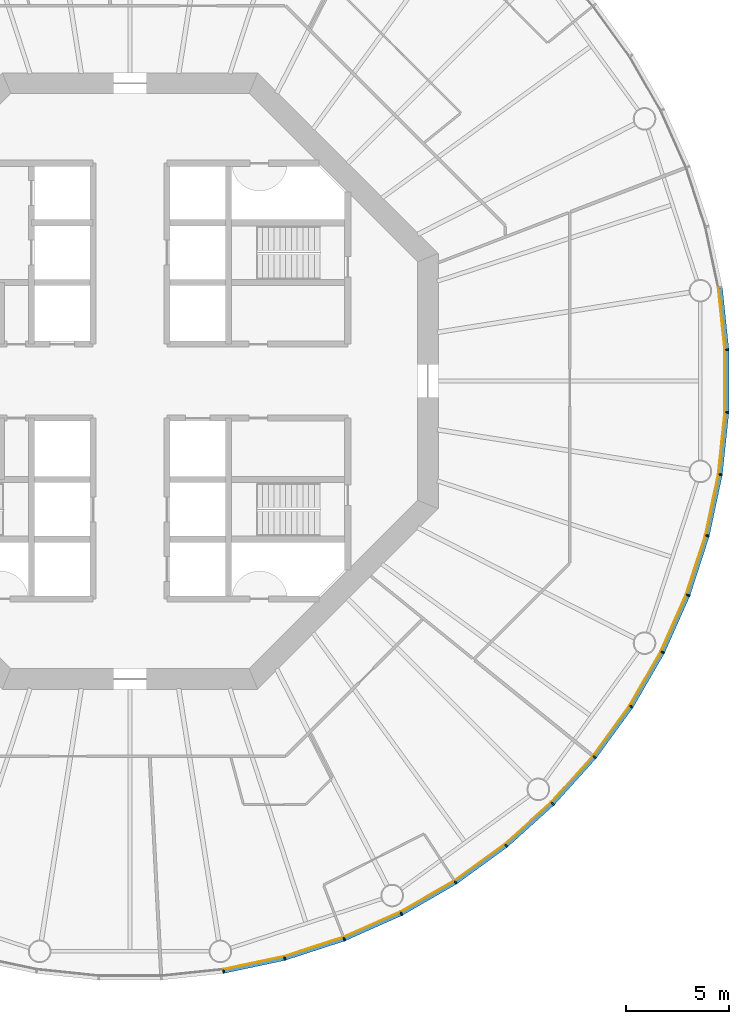
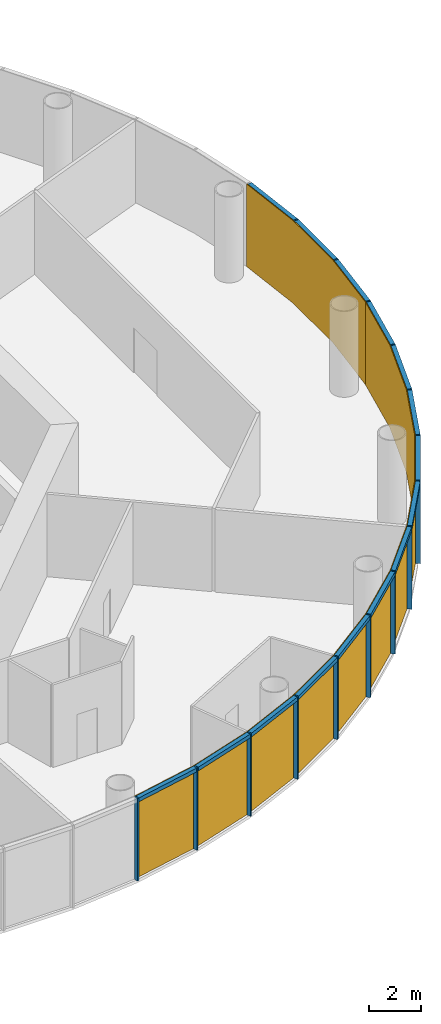
# One storey, part 9 of 13: 30 members, 5 curtain walls.
"""IFC4 building model written with IfcOpenShell, lengths in metres."""

import ifcopenshell
import ifcopenshell.guid

model = None  # the IFC model being written
_history = None  # IfcOwnerHistory: only IFC2X3 demands one
_inside = {}  # id of a spatial element -> (the spatial element, [elements in it])
_under = {}  # id of a project, library or spatial element -> (it, [spatial elements below it])
_declared = {}  # id of a project -> (the project, [libraries it declares])
_typed = {}  # id of a type object -> (the type object, [elements of that type])
_made_of = {}  # id of a material, layer set ... -> (it, [elements and type objects made of it])


def new_model(schema):
    """Start an empty IFC model of exactly this schema.

    Asked for "IFC4X3", IfcOpenShell would pick the latest addendum, in which some entities
    have other attributes; the version numbers below select the first issue.
    IFC2X3 requires an IfcOwnerHistory on every rooted entity: one is made here for all.
    """
    global model, _history
    if schema == "IFC4X3":
        model = ifcopenshell.file(schema_version=(4, 3, 0, 0))
    else:
        model = ifcopenshell.file(schema=schema)
    _inside.clear()
    _under.clear()
    _declared.clear()
    _typed.clear()
    _made_of.clear()
    _history = None
    if model.schema == "IFC2X3":
        org = make("IfcOrganization", Name="unknown")
        user = make(
            "IfcPersonAndOrganization",
            ThePerson=make("IfcPerson", FamilyName="unknown"),
            TheOrganization=org,
        )
        app = make(
            "IfcApplication",
            ApplicationDeveloper=org,
            Version="unknown",
            ApplicationFullName="unknown",
            ApplicationIdentifier="unknown",
        )
        _history = make(
            "IfcOwnerHistory",
            OwningUser=user,
            OwningApplication=app,
            ChangeAction="ADDED",
            CreationDate=0,
        )
    return model


def make(cls, **values):
    """One entity of the class cls with the attributes given. An attribute that is None is left unset."""
    return model.create_entity(
        cls, **{name: value for name, value in values.items() if value is not None}
    )


def rooted(cls, **values):
    """An entity with a GlobalId (a new one), such as an element, a storey or a relation."""
    return make(cls, GlobalId=ifcopenshell.guid.new(), OwnerHistory=_history, **values)


def si_unit(unit_type, name, prefix=None):
    """IfcSIUnit, for example si_unit("LENGTHUNIT", "METRE", prefix="MILLI")."""
    return make("IfcSIUnit", UnitType=unit_type, Prefix=prefix, Name=name)


def assignment(units):
    """IfcUnitAssignment: the units of a project."""
    return None if units is None else make("IfcUnitAssignment", Units=units)


def point(xyz):
    """IfcCartesianPoint."""
    return None if xyz is None else make("IfcCartesianPoint", Coordinates=xyz)


def direction(xyz):
    """IfcDirection."""
    return None if xyz is None else make("IfcDirection", DirectionRatios=xyz)


def frame(location, z_axis=None, x_axis=None):
    """IfcAxis2Placement3D, a coordinate frame: its origin and axes. An axis left out is left unset."""
    return make(
        "IfcAxis2Placement3D",
        Location=point(location),
        Axis=direction(z_axis),
        RefDirection=direction(x_axis),
    )


def frame_2d(location, x_axis=None):
    """IfcAxis2Placement2D, a coordinate frame in the plane: its origin and x axis."""
    return make(
        "IfcAxis2Placement2D", Location=point(location), RefDirection=direction(x_axis)
    )


def origin():
    """The frame at (0, 0, 0) with its axes left unset."""
    return frame((0.0, 0.0, 0.0))


def origin_2d():
    """The frame at (0, 0) in the plane with its x axis left unset."""
    return frame_2d((0.0, 0.0))


def place(relative_to, where):
    """IfcLocalPlacement: puts the frame where relative to a parent placement (None: the world)."""
    return make(
        "IfcLocalPlacement", PlacementRelTo=relative_to, RelativePlacement=where
    )


def context(
    kind, dimensions, precision=None, world=None, true_north=None, identifier=None
):
    """IfcGeometricRepresentationContext, for example the 3D "Model" context."""
    return make(
        "IfcGeometricRepresentationContext",
        ContextIdentifier=identifier,
        ContextType=kind,
        CoordinateSpaceDimension=dimensions,
        Precision=precision,
        WorldCoordinateSystem=world,
        TrueNorth=true_north,
    )


def subcontext(parent, identifier, kind, view, scale=None):
    """IfcGeometricRepresentationSubContext, for example "Body" below "Model"."""
    return make(
        "IfcGeometricRepresentationSubContext",
        ContextIdentifier=identifier,
        ContextType=kind,
        ParentContext=parent,
        TargetScale=scale,
        TargetView=view,
    )


def project(units=None, contexts=None):
    """IfcProject with its units and contexts."""
    return rooted(
        "IfcProject",
        Name="project",
        RepresentationContexts=contexts,
        UnitsInContext=assignment(units),
    )


def spatial(cls, under=None, at=None, **own):
    """A site, building, storey or space (cls), placed at a placement, below another one or the project."""
    s = rooted(cls, ObjectPlacement=at, **own)
    if under is not None:
        _under.setdefault(under.id(), (under, []))[1].append(s)
    return s


def polyline(points):
    """IfcPolyline through the points."""
    return make("IfcPolyline", Points=[point(p) for p in points])


def profile(cls, at=None, kind="AREA", **sizes):
    """A parametric profile (cls). Its sizes go by their IFC names, for example OverallWidth=200.0."""
    return make(cls, ProfileType=kind, Position=at, **sizes)


def rectangle(**sizes):
    """IfcRectangleProfileDef."""
    return profile("IfcRectangleProfileDef", **sizes)


def outline(outer, holes=None, kind="AREA"):
    """IfcArbitraryClosedProfileDef: a profile drawn as a closed curve; with holes, ...WithVoids."""
    if holes is None:
        return make("IfcArbitraryClosedProfileDef", ProfileType=kind, OuterCurve=outer)
    return make(
        "IfcArbitraryProfileDefWithVoids",
        ProfileType=kind,
        OuterCurve=outer,
        InnerCurves=holes,
    )


def extrude(swept, where, along, depth):
    """IfcExtrudedAreaSolid: the profile swept, set in the frame where, extruded along a direction by depth."""
    return make(
        "IfcExtrudedAreaSolid",
        SweptArea=swept,
        Position=where,
        ExtrudedDirection=direction(along),
        Depth=depth,
    )


def shape(context_of_items, identifier, shape_type, items):
    """IfcShapeRepresentation: the items that make up one representation, for example the "Body"."""
    return make(
        "IfcShapeRepresentation",
        ContextOfItems=context_of_items,
        RepresentationIdentifier=identifier,
        RepresentationType=shape_type,
        Items=items,
    )


def material(Name=None, Category=None):
    """IfcMaterial."""
    return make("IfcMaterial", Name=Name, Category=Category)


def layer(
    of_material, thickness, ventilated=None, Name=None, Category=None, Priority=None
):
    """IfcMaterialLayer: one layer of a wall or slab, of a material (None: an air gap)."""
    return make(
        "IfcMaterialLayer",
        Material=of_material,
        LayerThickness=thickness,
        IsVentilated=ventilated,
        Name=Name,
        Category=Category,
        Priority=Priority,
    )


def layer_set(layers, Name=None):
    """IfcMaterialLayerSet."""
    return make("IfcMaterialLayerSet", MaterialLayers=layers, LayerSetName=Name)


def material_profile(
    of_material, cross_section, Name=None, Category=None, Priority=None
):
    """IfcMaterialProfile: a cross section and its material."""
    return make(
        "IfcMaterialProfile",
        Name=Name,
        Material=of_material,
        Profile=cross_section,
        Priority=Priority,
        Category=Category,
    )


def profile_set(profiles, Name=None, composite=None):
    """IfcMaterialProfileSet."""
    return make(
        "IfcMaterialProfileSet",
        Name=Name,
        MaterialProfiles=profiles,
        CompositeProfile=composite,
    )


def made_of(thing, what):
    """Note that an element or type object is made of a material, layer set ...; save() writes the relation."""
    if what is not None:
        _made_of.setdefault(what.id(), (what, []))[1].append(thing)
    return thing


def type_object(cls, material=None, **own):
    """A type object (cls), such as IfcWallType, which elements share."""
    return made_of(rooted(cls, **own), material)


def element(
    cls,
    number,
    at=None,
    inside=None,
    cuts=None,
    type_object=None,
    material=None,
    context=None,
    identifier="Body",
    shape_type=None,
    held_by="IfcProductDefinitionShape",
    body=None,
    shapes=None,
    **own,
):
    """One element of the class cls, such as IfcWall. Its Tag is "e" and its number.

    at: its placement. inside: the storey or other place that contains it. cuts: it is an
    opening in that element (IfcRelVoidsElement). A single representation is given by context,
    identifier, shape_type and body (its items); several are given by shapes. held_by: the class
    of the entity that holds the representations. save() writes the other relations.
    """
    e = rooted(cls, Tag="e%d" % number, ObjectPlacement=at, **own)
    if body is not None:
        shapes = [shape(context, identifier, shape_type, body)]
    if shapes is not None:
        e.Representation = make(held_by, Representations=shapes)
    if inside is not None:
        _inside.setdefault(inside.id(), (inside, []))[1].append(e)
    if cuts is not None:
        rooted(
            "IfcRelVoidsElement", RelatingBuildingElement=cuts, RelatedOpeningElement=e
        )
    if type_object is not None:
        _typed.setdefault(type_object.id(), (type_object, []))[1].append(e)
    return made_of(e, material)


def aggregate(whole, parts):
    """IfcRelAggregates: a whole, such as a stair, and the parts it consists of."""
    return rooted("IfcRelAggregates", RelatingObject=whole, RelatedObjects=parts)


def save(model, path):
    """Write the relations noted so far, then the file.

    IfcRelAggregates (storeys below a building ...), IfcRelContainedInSpatialStructure (elements
    in a storey), IfcRelDefinesByType, IfcRelAssociatesMaterial and IfcRelDeclares: one each for
    every whole, place, type object, material and project.
    """
    for whole, parts in _under.values():
        aggregate(whole, parts)
    for where, things in _inside.values():
        rooted(
            "IfcRelContainedInSpatialStructure",
            RelatedElements=things,
            RelatingStructure=where,
        )
    for kind, things in _typed.values():
        rooted("IfcRelDefinesByType", RelatedObjects=things, RelatingType=kind)
    for what, things in _made_of.values():
        rooted("IfcRelAssociatesMaterial", RelatedObjects=things, RelatingMaterial=what)
    for by, libraries in _declared.values():
        rooted("IfcRelDeclares", RelatingContext=by, RelatedDefinitions=libraries)
    model.write(path)


model = new_model("IFC4")

# Units and contexts
model_context = context("Model", 3, precision=1e-05, world=origin(), true_north=direction((0.0, 1.0)))
body_context = subcontext(model_context, "Body", "Model", "MODEL_VIEW")
ifc_project = project(units=[si_unit("LENGTHUNIT", "METRE"), si_unit("AREAUNIT", "SQUARE_METRE"), si_unit("VOLUMEUNIT", "CUBIC_METRE"), si_unit("PLANEANGLEUNIT", "RADIAN"), si_unit("MASSUNIT", "GRAM", prefix="KILO")], contexts=[model_context])

# Member
ifc_material_1 = material(Name="Anodised aluminium", Category="aluminium")
ifc_material_profile_1 = material_profile(ifc_material_1, rectangle(XDim=0.06494140625, YDim=0.18505859375, at=origin_2d()), Name="Mullion 65 x 185 mm anodised aluminium")
ifc_profile_set_1 = profile_set([ifc_material_profile_1], Name="Anodised aluminium")
member_type_1 = type_object("IfcMemberType", Name="Mullion 65 x 185 mm anodised aluminium", PredefinedType="MULLION", material=ifc_profile_set_1)
site_placement = place(None, origin())
building_placement = place(site_placement, origin())
storey_placement = place(building_placement, frame((0.0, 0.0, 184.0)))
member_1_placement = place(storey_placement, frame((94.551025390625, 51.265625, 0.0), z_axis=(0.0, 0.0, 1.0), x_axis=(0.987688340595, 0.15643446504, 0.0)))
member_1 = element("IfcMember", 1, at=member_1_placement, type_object=member_type_1, Name="MULLION L42-45", PredefinedType="MULLION", context=body_context, shape_type="SweptSolid", body=[
    extrude(rectangle(XDim=0.06494140625, YDim=0.18505859375, at=origin_2d()), origin(), (0.0, 0.0, 1.0), 3.85009765625),
])

member_2_placement = place(storey_placement, frame((97.52978515625, 51.898681640625, 0.0), z_axis=(0.0, 0.0, 1.0), x_axis=(0.965925826289, 0.258819045103, 0.0)))
member_2 = element("IfcMember", 2, at=member_2_placement, type_object=member_type_1, Name="MULLION L42-46", PredefinedType="MULLION", context=body_context, shape_type="SweptSolid", body=[
    extrude(rectangle(XDim=0.06494140625, YDim=0.18505859375, at=origin_2d()), origin(), (0.0, 0.0, 1.0), 3.85009765625),
])

member_3_placement = place(storey_placement, frame((100.42578125, 52.83984375, 0.0), z_axis=(0.0, 0.0, 1.0), x_axis=(0.933580426497, 0.358367949545, 0.0)))
member_3 = element("IfcMember", 3, at=member_3_placement, type_object=member_type_1, Name="MULLION L42-47", PredefinedType="MULLION", context=body_context, shape_type="SweptSolid", body=[
    extrude(rectangle(XDim=0.06494140625, YDim=0.18505859375, at=origin_2d()), origin(), (0.0, 0.0, 1.0), 3.85009765625),
])

member_4_placement = place(storey_placement, frame((103.207763671875, 54.078369140625, 0.0), z_axis=(0.0, 0.0, 1.0), x_axis=(0.891006524188, 0.45399049974, 0.0)))
member_4 = element("IfcMember", 4, at=member_4_placement, type_object=member_type_1, Name="MULLION L42-48", PredefinedType="MULLION", context=body_context, shape_type="SweptSolid", body=[
    extrude(rectangle(XDim=0.06494140625, YDim=0.18505859375, at=origin_2d()), origin(), (0.0, 0.0, 1.0), 3.85009765625),
])

member_5_placement = place(storey_placement, frame((105.844970703125, 55.60107421875, 0.0), z_axis=(0.0, 0.0, 1.0), x_axis=(0.838670567945, 0.544639035015, 0.0)))
member_5 = element("IfcMember", 5, at=member_5_placement, type_object=member_type_1, Name="MULLION L42-49", PredefinedType="MULLION", context=body_context, shape_type="SweptSolid", body=[
    extrude(rectangle(XDim=0.06494140625, YDim=0.18505859375, at=origin_2d()), origin(), (0.0, 0.0, 1.0), 3.85009765625),
])

member_6_placement = place(storey_placement, frame((108.30859375, 57.390869140625, 0.0), z_axis=(0.0, 0.0, 1.0), x_axis=(0.777145961457, 0.62932039105, 0.0)))
member_6 = element("IfcMember", 6, at=member_6_placement, type_object=member_type_1, Name="MULLION L42-50", PredefinedType="MULLION", context=body_context, shape_type="SweptSolid", body=[
    extrude(rectangle(XDim=0.06494140625, YDim=0.18505859375, at=origin_2d()), origin(), (0.0, 0.0, 1.0), 3.85009765625),
])

member_7_placement = place(storey_placement, frame((110.571533203125, 59.428466796875, 0.0), z_axis=(0.0, 0.0, 1.0), x_axis=(0.707106781187, 0.707106781187, 0.0)))
member_7 = element("IfcMember", 7, at=member_7_placement, type_object=member_type_1, Name="MULLION L42-51", PredefinedType="MULLION", context=body_context, shape_type="SweptSolid", body=[
    extrude(rectangle(XDim=0.06494140625, YDim=0.18505859375, at=origin_2d()), origin(), (0.0, 0.0, 1.0), 3.85009765625),
])

member_8_placement = place(storey_placement, frame((112.609130859375, 61.69140625, 0.0), z_axis=(0.0, 0.0, 1.0), x_axis=(0.62932039105, 0.777145961457, 0.0)))
member_8 = element("IfcMember", 8, at=member_8_placement, type_object=member_type_1, Name="MULLION L42-52", PredefinedType="MULLION", context=body_context, shape_type="SweptSolid", body=[
    extrude(rectangle(XDim=0.06494140625, YDim=0.18505859375, at=origin_2d()), origin(), (0.0, 0.0, 1.0), 3.85009765625),
])

member_9_placement = place(storey_placement, frame((114.39892578125, 64.155029296875, 0.0), z_axis=(0.0, 0.0, 1.0), x_axis=(0.544639035015, 0.838670567945, 0.0)))
member_9 = element("IfcMember", 9, at=member_9_placement, type_object=member_type_1, Name="MULLION L42-53", PredefinedType="MULLION", context=body_context, shape_type="SweptSolid", body=[
    extrude(rectangle(XDim=0.06494140625, YDim=0.18505859375, at=origin_2d()), origin(), (0.0, 0.0, 1.0), 3.85009765625),
])

member_10_placement = place(storey_placement, frame((115.921630859375, 66.792236328125, 0.0), z_axis=(0.0, 0.0, 1.0), x_axis=(0.45399049974, 0.891006524188, 0.0)))
member_10 = element("IfcMember", 10, at=member_10_placement, type_object=member_type_1, Name="MULLION L42-54", PredefinedType="MULLION", context=body_context, shape_type="SweptSolid", body=[
    extrude(rectangle(XDim=0.06494140625, YDim=0.18505859375, at=origin_2d()), origin(), (0.0, 0.0, 1.0), 3.85009765625),
])

member_11_placement = place(storey_placement, frame((117.16015625, 69.57421875, 0.0), z_axis=(0.0, 0.0, 1.0), x_axis=(0.358367949545, 0.933580426497, 0.0)))
member_11 = element("IfcMember", 11, at=member_11_placement, type_object=member_type_1, Name="MULLION L42-55", PredefinedType="MULLION", context=body_context, shape_type="SweptSolid", body=[
    extrude(rectangle(XDim=0.06494140625, YDim=0.18505859375, at=origin_2d()), origin(), (0.0, 0.0, 1.0), 3.85009765625),
])

member_12_placement = place(storey_placement, frame((118.101318359375, 72.47021484375, 0.0), z_axis=(0.0, 0.0, 1.0), x_axis=(0.258819045103, 0.965925826289, 0.0)))
member_12 = element("IfcMember", 12, at=member_12_placement, type_object=member_type_1, Name="MULLION L42-56", PredefinedType="MULLION", context=body_context, shape_type="SweptSolid", body=[
    extrude(rectangle(XDim=0.06494140625, YDim=0.18505859375, at=origin_2d()), origin(), (0.0, 0.0, 1.0), 3.85009765625),
])

member_13_placement = place(storey_placement, frame((118.734375, 75.448974609375, 0.0), z_axis=(0.0, 0.0, 1.0), x_axis=(0.15643446504, 0.987688340595, 0.0)))
member_13 = element("IfcMember", 13, at=member_13_placement, type_object=member_type_1, Name="MULLION L42-57", PredefinedType="MULLION", context=body_context, shape_type="SweptSolid", body=[
    extrude(rectangle(XDim=0.06494140625, YDim=0.18505859375, at=origin_2d()), origin(), (0.0, 0.0, 1.0), 3.85009765625),
])

member_14_placement = place(storey_placement, frame((119.052734375, 78.477294921875, 0.0), z_axis=(0.0, 0.0, 1.0), x_axis=(0.052335956243, 0.998629534755, 0.0)))
member_14 = element("IfcMember", 14, at=member_14_placement, type_object=member_type_1, Name="MULLION L42-58", PredefinedType="MULLION", context=body_context, shape_type="SweptSolid", body=[
    extrude(rectangle(XDim=0.06494140625, YDim=0.18505859375, at=origin_2d()), origin(), (0.0, 0.0, 1.0), 3.85009765625),
])

member_15_placement = place(storey_placement, frame((119.052734375, 81.522705078125, 0.0), z_axis=(0.0, 0.0, 1.0), x_axis=(-0.052335956243, 0.998629534755, 0.0)))
member_15 = element("IfcMember", 15, at=member_15_placement, type_object=member_type_1, Name="MULLION L42-59", PredefinedType="MULLION", context=body_context, shape_type="SweptSolid", body=[
    extrude(rectangle(XDim=0.06494140625, YDim=0.18505859375, at=origin_2d()), origin(), (0.0, 0.0, 1.0), 3.85009765625),
])

ifc_material_2 = material(Name="Anodised aluminium", Category="aluminium")
ifc_material_profile_2 = material_profile(ifc_material_2, rectangle(XDim=0.18505859375, YDim=0.175048828125, at=origin_2d()), Name="Transom 175 x 185 mm anodised aluminium")
ifc_profile_set_2 = profile_set([ifc_material_profile_2], Name="Anodised aluminium")
member_type_2 = type_object("IfcMemberType", Name="Transom 175 x 185 mm anodised aluminium", PredefinedType="USERDEFINED", material=ifc_profile_set_2)
member_16_placement = place(storey_placement, frame((94.587646484375, 51.2734375, 3.762451171875), z_axis=(0.97815822425, 0.207861704825, 0.0), x_axis=(-0.207861704825, 0.97815822425, 0.0)))
member_16 = element("IfcMember", 16, at=member_16_placement, type_object=member_type_2, Name="TRANSOM L42-45", ObjectType="TRANSOM", PredefinedType="USERDEFINED", context=body_context, shape_type="SweptSolid", body=[
    extrude(rectangle(XDim=0.18505859375, YDim=0.175048828125, at=origin_2d()), origin(), (0.0, 0.0, 1.0), 2.970458984375),
])

member_17_placement = place(storey_placement, frame((97.565185546875, 51.91015625, 3.762451171875), z_axis=(0.951055809184, 0.30901917063, 0.0), x_axis=(-0.30901917063, 0.951055809184, 0.0)))
member_17 = element("IfcMember", 17, at=member_17_placement, type_object=member_type_2, Name="TRANSOM L42-46", ObjectType="TRANSOM", PredefinedType="USERDEFINED", context=body_context, shape_type="SweptSolid", body=[
    extrude(rectangle(XDim=0.18505859375, YDim=0.175048828125, at=origin_2d()), origin(), (0.0, 0.0, 1.0), 2.970703125),
])

member_18_placement = place(storey_placement, frame((100.4599609375, 52.85498046875, 3.762451171875), z_axis=(0.913567348806, 0.406687471156, 0.0), x_axis=(-0.406687471156, 0.913567348806, 0.0)))
member_18 = element("IfcMember", 18, at=member_18_placement, type_object=member_type_2, Name="TRANSOM L42-47", ObjectType="TRANSOM", PredefinedType="USERDEFINED", context=body_context, shape_type="SweptSolid", body=[
    extrude(rectangle(XDim=0.18505859375, YDim=0.175048828125, at=origin_2d()), origin(), (0.0, 0.0, 1.0), 2.970458984375),
])

member_19_placement = place(storey_placement, frame((103.240234375, 54.096923828125, 3.762451171875), z_axis=(0.866009025146, 0.500028367561, 0.0), x_axis=(-0.500028367561, 0.866009025146, 0.0)))
member_19 = element("IfcMember", 19, at=member_19_placement, type_object=member_type_2, Name="TRANSOM L42-48", ObjectType="TRANSOM", PredefinedType="USERDEFINED", context=body_context, shape_type="SweptSolid", body=[
    extrude(rectangle(XDim=0.18505859375, YDim=0.175048828125, at=origin_2d()), origin(), (0.0, 0.0, 1.0), 2.970458984375),
])

member_20_placement = place(storey_placement, frame((105.875244140625, 55.622802734375, 3.762451171875), z_axis=(0.808991906087, 0.587819781808, 0.0), x_axis=(-0.587819781808, 0.808991906087, 0.0)))
member_20 = element("IfcMember", 20, at=member_20_placement, type_object=member_type_2, Name="TRANSOM L42-49", ObjectType="TRANSOM", PredefinedType="USERDEFINED", context=body_context, shape_type="SweptSolid", body=[
    extrude(rectangle(XDim=0.18505859375, YDim=0.175048828125, at=origin_2d()), origin(), (0.0, 0.0, 1.0), 2.970458984375),
])

member_21_placement = place(storey_placement, frame((108.33642578125, 57.415771484375, 3.762451171875), z_axis=(0.743163354343, 0.669110027395, 0.0), x_axis=(-0.669110027395, 0.743163354343, 0.0)))
member_21 = element("IfcMember", 21, at=member_21_placement, type_object=member_type_2, Name="TRANSOM L42-50", ObjectType="TRANSOM", PredefinedType="USERDEFINED", context=body_context, shape_type="SweptSolid", body=[
    extrude(rectangle(XDim=0.18505859375, YDim=0.175048828125, at=origin_2d()), origin(), (0.0, 0.0, 1.0), 2.970458984375),
])

member_22_placement = place(storey_placement, frame((110.5966796875, 59.4560546875, 3.762451171875), z_axis=(0.669110027395, 0.743163354343, 0.0), x_axis=(-0.743163354343, 0.669110027395, 0.0)))
member_22 = element("IfcMember", 22, at=member_22_placement, type_object=member_type_2, Name="TRANSOM L42-51", ObjectType="TRANSOM", PredefinedType="USERDEFINED", context=body_context, shape_type="SweptSolid", body=[
    extrude(rectangle(XDim=0.18505859375, YDim=0.175048828125, at=origin_2d()), origin(), (0.0, 0.0, 1.0), 2.970458984375),
])

member_23_placement = place(storey_placement, frame((112.631103515625, 61.7216796875, 3.762451171875), z_axis=(0.587819781808, 0.808991906087, 0.0), x_axis=(-0.808991906087, 0.587819781808, 0.0)))
member_23 = element("IfcMember", 23, at=member_23_placement, type_object=member_type_2, Name="TRANSOM L42-52", ObjectType="TRANSOM", PredefinedType="USERDEFINED", context=body_context, shape_type="SweptSolid", body=[
    extrude(rectangle(XDim=0.18505859375, YDim=0.175048828125, at=origin_2d()), origin(), (0.0, 0.0, 1.0), 2.970458984375),
])

member_24_placement = place(storey_placement, frame((114.417724609375, 64.187255859375, 3.762451171875), z_axis=(0.500028367561, 0.866009025146, 0.0), x_axis=(-0.866009025146, 0.500028367561, 0.0)))
member_24 = element("IfcMember", 24, at=member_24_placement, type_object=member_type_2, Name="TRANSOM L42-53", ObjectType="TRANSOM", PredefinedType="USERDEFINED", context=body_context, shape_type="SweptSolid", body=[
    extrude(rectangle(XDim=0.18505859375, YDim=0.175048828125, at=origin_2d()), origin(), (0.0, 0.0, 1.0), 2.970458984375),
])

member_25_placement = place(storey_placement, frame((115.93701171875, 66.826416015625, 3.762451171875), z_axis=(0.406687471156, 0.913567348806, 0.0), x_axis=(-0.913567348806, 0.406687471156, 0.0)))
member_25 = element("IfcMember", 25, at=member_25_placement, type_object=member_type_2, Name="TRANSOM L42-54", ObjectType="TRANSOM", PredefinedType="USERDEFINED", context=body_context, shape_type="SweptSolid", body=[
    extrude(rectangle(XDim=0.18505859375, YDim=0.175048828125, at=origin_2d()), origin(), (0.0, 0.0, 1.0), 2.970458984375),
])

member_26_placement = place(storey_placement, frame((117.171875, 69.609619140625, 3.762451171875), z_axis=(0.30901917063, 0.951055809184, 0.0), x_axis=(-0.951055809184, 0.30901917063, 0.0)))
member_26 = element("IfcMember", 26, at=member_26_placement, type_object=member_type_2, Name="TRANSOM L42-55", ObjectType="TRANSOM", PredefinedType="USERDEFINED", context=body_context, shape_type="SweptSolid", body=[
    extrude(rectangle(XDim=0.18505859375, YDim=0.175048828125, at=origin_2d()), origin(), (0.0, 0.0, 1.0), 2.970703125),
])

member_27_placement = place(storey_placement, frame((118.109130859375, 72.5068359375, 3.762451171875), z_axis=(0.207861704825, 0.97815822425, 0.0), x_axis=(-0.97815822425, 0.207861704825, 0.0)))
member_27 = element("IfcMember", 27, at=member_27_placement, type_object=member_type_2, Name="TRANSOM L42-56", ObjectType="TRANSOM", PredefinedType="USERDEFINED", context=body_context, shape_type="SweptSolid", body=[
    extrude(rectangle(XDim=0.18505859375, YDim=0.175048828125, at=origin_2d()), origin(), (0.0, 0.0, 1.0), 2.970458984375),
])

member_28_placement = place(storey_placement, frame((118.73828125, 75.486083984375, 3.762451171875), z_axis=(0.104547872381, 0.994519855197, 0.0), x_axis=(-0.994519855197, 0.104547872381, 0.0)))
member_28 = element("IfcMember", 28, at=member_28_placement, type_object=member_type_2, Name="TRANSOM L42-57", ObjectType="TRANSOM", PredefinedType="USERDEFINED", context=body_context, shape_type="SweptSolid", body=[
    extrude(rectangle(XDim=0.18505859375, YDim=0.175048828125, at=origin_2d()), origin(), (0.0, 0.0, 1.0), 2.970458984375),
])

member_29_placement = place(storey_placement, frame((119.052734375, 78.5146484375, 3.762451171875), z_axis=(0.0, 1.0, 0.0), x_axis=(-1.0, 0.0, 0.0)))
member_29 = element("IfcMember", 29, at=member_29_placement, type_object=member_type_2, Name="TRANSOM L42-58", ObjectType="TRANSOM", PredefinedType="USERDEFINED", context=body_context, shape_type="SweptSolid", body=[
    extrude(rectangle(XDim=0.18505859375, YDim=0.175048828125, at=origin_2d()), origin(), (0.0, 0.0, 1.0), 2.970703125),
])

member_30_placement = place(storey_placement, frame((119.048828125, 81.559814453125, 3.762451171875), z_axis=(-0.104547872381, 0.994519855197, 0.0), x_axis=(-0.994519855197, -0.104547872381, 0.0)))
member_30 = element("IfcMember", 30, at=member_30_placement, type_object=member_type_2, Name="TRANSOM L42-59", ObjectType="TRANSOM", PredefinedType="USERDEFINED", context=body_context, shape_type="SweptSolid", body=[
    extrude(rectangle(XDim=0.18505859375, YDim=0.175048828125, at=origin_2d()), origin(), (0.0, 0.0, 1.0), 2.970458984375),
])

# Site, building, storey
site = spatial("IfcSite", under=ifc_project, at=site_placement, CompositionType="ELEMENT")
building = spatial("IfcBuilding", under=site, at=building_placement, Name="Entoto Ring Tower", CompositionType="ELEMENT")
storey = spatial("IfcBuildingStorey", under=building, at=storey_placement, Name="L42", CompositionType="ELEMENT", Elevation=184.0)

# Curtain wall
ifc_material_3 = material(Name="Clear low-iron glass", Category="glass")
ifc_layer = layer(ifc_material_3, 0.033935546875)
ifc_layer_set = layer_set([ifc_layer], Name="Clear low-iron glass")
curtain_wall_type = type_object("IfcCurtainWallType", Name="Curtain wall system CW3 glazing 34 mm", PredefinedType="NOTDEFINED", material=ifc_layer_set)
curtain_wall_1_placement = place(storey_placement, origin())
curtain_wall_1 = element("IfcCurtainWall", 31, at=curtain_wall_1_placement, inside=storey, type_object=curtain_wall_type, Name="CW3 L42-16", PredefinedType="NOTDEFINED", context=body_context, shape_type="SweptSolid", body=[
    extrude(outline(polyline([(94.53662109375, 51.35693359375), (97.505859375, 51.988037109375), (100.392578125, 52.92626953125), (103.165771484375, 54.160888671875), (103.150146484375, 54.191162109375), (100.38037109375, 52.9580078125), (97.496826171875, 52.02099609375), (94.53125, 51.390625), (94.53662109375, 51.35693359375)])), origin(), (0.0, 0.0, 1.0), 3.85009765625),
])

aggregate(curtain_wall_1, [member_1, member_2, member_3, member_16, member_17, member_18])

curtain_wall_2_placement = place(storey_placement, origin())
curtain_wall_2 = element("IfcCurtainWall", 32, at=curtain_wall_2_placement, inside=storey, type_object=curtain_wall_type, Name="CW3 L42-17", PredefinedType="NOTDEFINED", context=body_context, shape_type="SweptSolid", body=[
    extrude(outline(polyline([(103.165771484375, 54.160888671875), (105.79443359375, 55.678466796875), (108.250244140625, 57.462646484375), (110.506103515625, 59.493896484375), (110.48193359375, 59.51806640625), (108.228759765625, 57.4892578125), (105.77587890625, 55.70703125), (103.150146484375, 54.191162109375), (103.165771484375, 54.160888671875)])), origin(), (0.0, 0.0, 1.0), 3.85009765625),
])

aggregate(curtain_wall_2, [member_4, member_5, member_6, member_19, member_20, member_21])

curtain_wall_3_placement = place(storey_placement, origin())
curtain_wall_3 = element("IfcCurtainWall", 33, at=curtain_wall_3_placement, inside=storey, type_object=curtain_wall_type, Name="CW3 L42-18", PredefinedType="NOTDEFINED", context=body_context, shape_type="SweptSolid", body=[
    extrude(outline(polyline([(110.506103515625, 59.493896484375), (112.537353515625, 61.749755859375), (114.321533203125, 64.20556640625), (115.839111328125, 66.834228515625), (115.808837890625, 66.849853515625), (114.29296875, 64.22412109375), (112.5107421875, 61.771240234375), (110.48193359375, 59.51806640625), (110.506103515625, 59.493896484375)])), origin(), (0.0, 0.0, 1.0), 3.85009765625),
])

aggregate(curtain_wall_3, [member_7, member_8, member_9, member_22, member_23, member_24])

curtain_wall_4_placement = place(storey_placement, origin())
curtain_wall_4 = element("IfcCurtainWall", 34, at=curtain_wall_4_placement, inside=storey, type_object=curtain_wall_type, Name="CW3 L42-19", PredefinedType="NOTDEFINED", context=body_context, shape_type="SweptSolid", body=[
    extrude(outline(polyline([(115.839111328125, 66.834228515625), (117.07373046875, 69.607421875), (118.011962890625, 72.494140625), (118.64306640625, 75.46337890625), (118.609375, 75.46875), (117.97900390625, 72.503173828125), (117.0419921875, 69.61962890625), (115.808837890625, 66.849853515625), (115.839111328125, 66.834228515625)])), origin(), (0.0, 0.0, 1.0), 3.85009765625),
])

aggregate(curtain_wall_4, [member_10, member_11, member_12, member_25, member_26, member_27])

curtain_wall_5_placement = place(storey_placement, origin())
curtain_wall_5 = element("IfcCurtainWall", 35, at=curtain_wall_5_placement, inside=storey, type_object=curtain_wall_type, Name="CW3 L42-20", PredefinedType="NOTDEFINED", context=body_context, shape_type="SweptSolid", body=[
    extrude(outline(polyline([(118.64306640625, 75.46337890625), (118.960205078125, 78.482177734375), (118.960205078125, 81.517822265625), (118.64306640625, 84.53662109375), (118.609375, 84.53125), (118.92626953125, 81.515869140625), (118.92626953125, 78.484130859375), (118.609375, 75.46875), (118.64306640625, 75.46337890625)])), origin(), (0.0, 0.0, 1.0), 3.85009765625),
])

aggregate(curtain_wall_5, [member_13, member_14, member_15, member_28, member_29, member_30])

save(model, "model.ifc")
